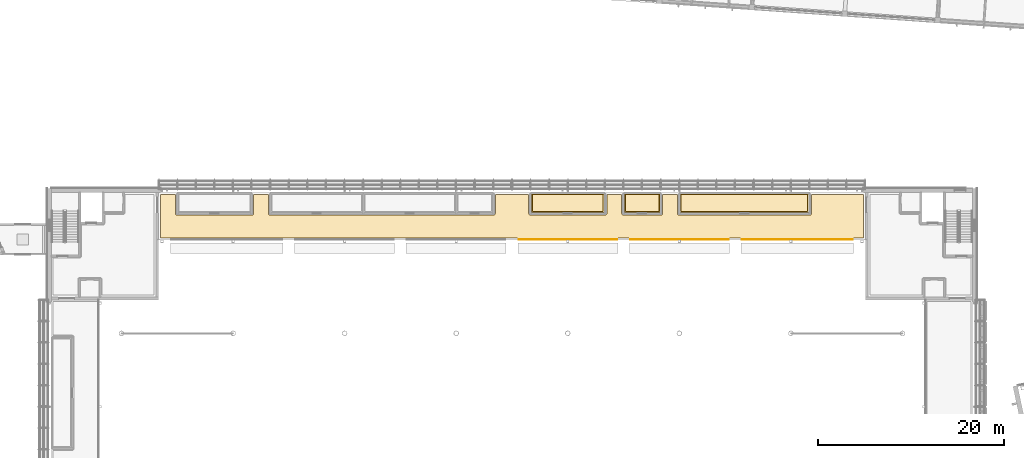
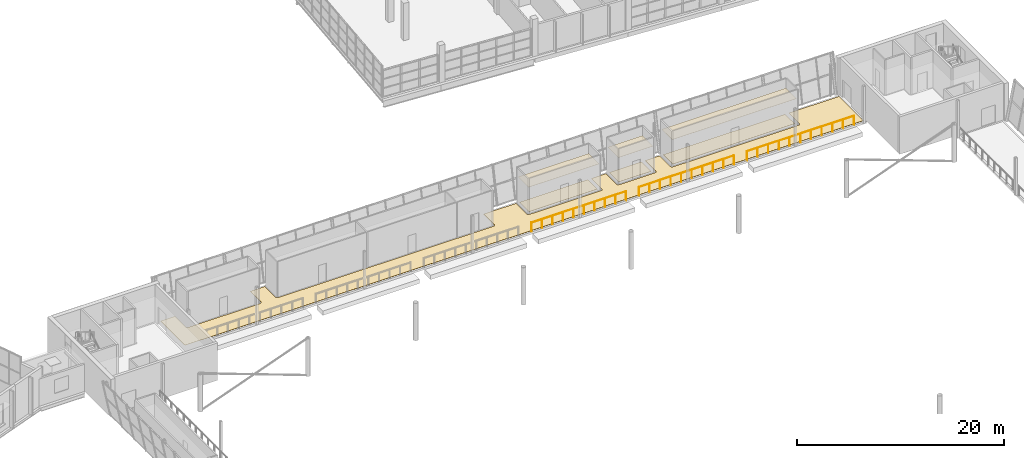
# One storey, part 105 of 115: 7 coverings, 3 railings.
"""IFC4 building model written with IfcOpenShell, lengths in metres."""

from ifc_helpers import new_model, si_unit, direction, frame, origin, origin_2d, place, context, subcontext, project, spatial, polyline, circle, outline, extrude, material, layer, layer_set, type_object, element, save


model = new_model("IFC4")

# Units and contexts
model_context = context("Model", 3, precision=1e-05, world=origin(), true_north=direction((0.0, 1.0)))
body_context = subcontext(model_context, "Body", "Model", "MODEL_VIEW")
ifc_project = project(units=[si_unit("LENGTHUNIT", "METRE"), si_unit("AREAUNIT", "SQUARE_METRE"), si_unit("VOLUMEUNIT", "CUBIC_METRE"), si_unit("PLANEANGLEUNIT", "RADIAN"), si_unit("MASSUNIT", "GRAM", prefix="KILO")], contexts=[model_context])

# Site, building, storey
site_placement = place(None, origin())
site = spatial("IfcSite", under=ifc_project, at=site_placement, CompositionType="ELEMENT")
building_placement = place(site_placement, origin())
building = spatial("IfcBuilding", under=site, at=building_placement, Name="Windward Yard Aquatics Centre", CompositionType="ELEMENT")
storey_placement = place(building_placement, frame((0.0, 0.0, 5.0)))
storey = spatial("IfcBuildingStorey", under=building, at=storey_placement, Name="L01", CompositionType="ELEMENT", Elevation=5.0)

# Coverings
ifc_material_1 = material(Name="Polished screed")
ifc_layer_1 = layer(ifc_material_1, 0.0400390625)
ifc_layer_set_1 = layer_set([ifc_layer_1], Name="H Floor Finish Screed 40")
covering_type_1 = type_object("IfcCoveringType", Name="H Floor Finish Screed 40", PredefinedType="FLOORING", material=ifc_layer_set_1)
covering_1_placement = place(storey_placement, origin())
element("IfcCovering", 1, at=covering_1_placement, inside=storey, type_object=covering_type_1, Name="Kiosk floor finish", PredefinedType="FLOORING", context=body_context, shape_type="SweptSolid", body=[
    extrude(outline(polyline([(104.199951171875, 93.5), (104.199951171875, 95.35009765625), (111.800048828125, 95.35009765625), (111.800048828125, 93.5), (104.199951171875, 93.5)])), origin(), (0.0, 0.0, 1.0), 0.02001953125),
])
covering_2_placement = place(storey_placement, origin())
element("IfcCovering", 2, at=covering_2_placement, inside=storey, type_object=covering_type_1, Name="Cleaner's Store floor finish", PredefinedType="FLOORING", context=body_context, shape_type="SweptSolid", body=[
    extrude(outline(polyline([(114.199951171875, 93.5), (114.199951171875, 95.35009765625), (117.800048828125, 95.35009765625), (117.800048828125, 93.5), (114.199951171875, 93.5)])), origin(), (0.0, 0.0, 1.0), 0.02001953125),
])
covering_3_placement = place(storey_placement, origin())
element("IfcCovering", 3, at=covering_3_placement, inside=storey, type_object=covering_type_1, Name="Cafe Counter floor finish", PredefinedType="FLOORING", context=body_context, shape_type="SweptSolid", body=[
    extrude(outline(polyline([(120.199951171875, 93.5), (120.199951171875, 95.35009765625), (133.800048828125, 95.35009765625), (133.800048828125, 93.5), (120.199951171875, 93.5)])), origin(), (0.0, 0.0, 1.0), 0.02001953125),
])
covering_4_placement = place(storey_placement, origin())
element("IfcCovering", 4, at=covering_4_placement, inside=storey, type_object=covering_type_1, Name="Concourse North floor finish", PredefinedType="FLOORING", context=body_context, shape_type="SweptSolid", body=[
    extrude(outline(polyline([(64.199951171875, 90.640380859375), (64.199951171875, 95.35009765625), (65.800048828125, 95.35009765625), (65.801025390625, 93.280517578125), (65.80859375, 93.241943359375), (65.815185546875, 93.223388671875), (65.833740234375, 93.18896484375), (65.858642578125, 93.15869140625), (65.888916015625, 93.1337890625), (65.923583984375, 93.115234375), (65.9609375, 93.103759765625), (66.0, 93.10009765625), (74.0, 93.10009765625), (74.0390625, 93.103759765625), (74.05810546875, 93.108642578125), (74.09423828125, 93.12353515625), (74.111083984375, 93.1337890625), (74.141357421875, 93.15869140625), (74.154541015625, 93.173095703125), (74.176513671875, 93.205810546875), (74.184814453125, 93.223388671875), (74.19140625, 93.241943359375), (74.198974609375, 93.280517578125), (74.199951171875, 95.35009765625), (75.800048828125, 95.35009765625), (75.801025390625, 93.280517578125), (75.80859375, 93.241943359375), (75.815185546875, 93.223388671875), (75.833740234375, 93.18896484375), (75.858642578125, 93.15869140625), (75.888916015625, 93.1337890625), (75.923583984375, 93.115234375), (75.9609375, 93.103759765625), (76.0, 93.10009765625), (100.01953125, 93.10107421875), (100.05810546875, 93.108642578125), (100.076416015625, 93.115234375), (100.111083984375, 93.1337890625), (100.141357421875, 93.15869140625), (100.166259765625, 93.18896484375), (100.184814453125, 93.223388671875), (100.19140625, 93.241943359375), (100.198974609375, 93.280517578125), (100.199951171875, 95.35009765625), (103.800048828125, 95.35009765625), (103.801025390625, 93.280517578125), (103.80859375, 93.241943359375), (103.815185546875, 93.223388671875), (103.833740234375, 93.18896484375), (103.858642578125, 93.15869140625), (103.888916015625, 93.1337890625), (103.923583984375, 93.115234375), (103.94189453125, 93.108642578125), (103.98046875, 93.10107421875), (112.0, 93.10009765625), (112.0390625, 93.103759765625), (112.05810546875, 93.108642578125), (112.09423828125, 93.12353515625), (112.111083984375, 93.1337890625), (112.141357421875, 93.15869140625), (112.154541015625, 93.173095703125), (112.176513671875, 93.205810546875), (112.184814453125, 93.223388671875), (112.19140625, 93.241943359375), (112.198974609375, 93.280517578125), (112.199951171875, 95.35009765625), (113.800048828125, 95.35009765625), (113.801025390625, 93.280517578125), (113.80859375, 93.241943359375), (113.815185546875, 93.223388671875), (113.823486328125, 93.205810546875), (113.845458984375, 93.173095703125), (113.858642578125, 93.15869140625), (113.888916015625, 93.1337890625), (113.923583984375, 93.115234375), (113.9609375, 93.103759765625), (114.0, 93.10009765625), (118.01953125, 93.10107421875), (118.05810546875, 93.108642578125), (118.076416015625, 93.115234375), (118.111083984375, 93.1337890625), (118.141357421875, 93.15869140625), (118.166259765625, 93.18896484375), (118.184814453125, 93.223388671875), (118.19140625, 93.241943359375), (118.198974609375, 93.280517578125), (118.199951171875, 95.35009765625), (119.800048828125, 95.35009765625), (119.801025390625, 93.280517578125), (119.80859375, 93.241943359375), (119.815185546875, 93.223388671875), (119.833740234375, 93.18896484375), (119.858642578125, 93.15869140625), (119.888916015625, 93.1337890625), (119.90576171875, 93.12353515625), (119.94189453125, 93.108642578125), (119.9609375, 93.103759765625), (120.0, 93.10009765625), (134.0, 93.10009765625), (134.0390625, 93.103759765625), (134.076416015625, 93.115234375), (134.111083984375, 93.1337890625), (134.141357421875, 93.15869140625), (134.166259765625, 93.18896484375), (134.184814453125, 93.223388671875), (134.19140625, 93.241943359375), (134.198974609375, 93.280517578125), (134.199951171875, 95.35009765625), (139.800048828125, 95.35009765625), (139.800048828125, 90.640380859375), (64.199951171875, 90.640380859375)])), origin(), (0.0, 0.0, 1.0), 0.02001953125),
])

# Railings
ifc_material_2 = material(Name="Stainless steel 1.4529", Category="steel")
railing_type = type_object("IfcRailingType", Name="H Guard Steel 1100", PredefinedType="GUARDRAIL", material=ifc_material_2)
for number, where, name in (
    (5, (102.72509765625, 90.490478515625, 0.0), "Concourse edge guard N5"),
    (6, (114.72509765625, 90.490478515625, 0.0), "Concourse edge guard N6"),
):
    element("IfcRailing", number, at=place(storey_placement, frame(where)), inside=storey, type_object=railing_type, Name=name, PredefinedType="GUARDRAIL", context=body_context, shape_type="SweptSolid", body=[
        extrude(circle(Radius=0.02392578125, at=origin_2d()), frame((0.0, 0.0, 1.076171875), z_axis=(1.0, 0.0, 0.0), x_axis=(0.0, 1.0, 0.0)), (0.0, 0.0, 1.0), 10.5498046875),
        extrude(circle(Radius=0.02099609375, at=origin_2d()), origin(), (0.0, 0.0, 1.0), 1.052001953125),
        extrude(circle(Radius=0.02099609375, at=origin_2d()), frame((1.172119140625, 0.0, 0.0)), (0.0, 0.0, 1.0), 1.052001953125),
        extrude(circle(Radius=0.02099609375, at=origin_2d()), frame((2.344482421875, 0.0, 0.0)), (0.0, 0.0, 1.0), 1.052001953125),
        extrude(circle(Radius=0.02099609375, at=origin_2d()), frame((3.5166015625, 0.0, 0.0)), (0.0, 0.0, 1.0), 1.052001953125),
        extrude(circle(Radius=0.02099609375, at=origin_2d()), frame((4.688720703125, 0.0, 0.0)), (0.0, 0.0, 1.0), 1.052001953125),
        extrude(circle(Radius=0.02099609375, at=origin_2d()), frame((5.861083984375, 0.0, 0.0)), (0.0, 0.0, 1.0), 1.052001953125),
        extrude(circle(Radius=0.02099609375, at=origin_2d()), frame((7.033203125, 0.0, 0.0)), (0.0, 0.0, 1.0), 1.052001953125),
        extrude(circle(Radius=0.02099609375, at=origin_2d()), frame((8.205322265625, 0.0, 0.0)), (0.0, 0.0, 1.0), 1.052001953125),
        extrude(circle(Radius=0.02099609375, at=origin_2d()), frame((9.377685546875, 0.0, 0.0)), (0.0, 0.0, 1.0), 1.052001953125),
        extrude(circle(Radius=0.02099609375, at=origin_2d()), frame((10.5498046875, 0.0, 0.0)), (0.0, 0.0, 1.0), 1.052001953125),
    ])
railing_placement = place(storey_placement, frame((126.72509765625, 90.490478515625, 0.0)))
element("IfcRailing", 7, at=railing_placement, inside=storey, type_object=railing_type, Name="Concourse edge guard N7", PredefinedType="GUARDRAIL", context=body_context, shape_type="SweptSolid", body=[
    extrude(circle(Radius=0.02392578125, at=origin_2d()), frame((0.0, 0.0, 1.076171875), z_axis=(1.0, 0.0, 0.0), x_axis=(0.0, 1.0, 0.0)), (0.0, 0.0, 1.0), 11.9248046875),
    extrude(circle(Radius=0.02099609375, at=origin_2d()), origin(), (0.0, 0.0, 1.0), 1.052001953125),
    extrude(circle(Radius=0.02099609375, at=origin_2d()), frame((1.1923828125, 0.0, 0.0)), (0.0, 0.0, 1.0), 1.052001953125),
    extrude(circle(Radius=0.02099609375, at=origin_2d()), frame((2.385009765625, 0.0, 0.0)), (0.0, 0.0, 1.0), 1.052001953125),
    extrude(circle(Radius=0.02099609375, at=origin_2d()), frame((3.577392578125, 0.0, 0.0)), (0.0, 0.0, 1.0), 1.052001953125),
    extrude(circle(Radius=0.02099609375, at=origin_2d()), frame((4.77001953125, 0.0, 0.0)), (0.0, 0.0, 1.0), 1.052001953125),
    extrude(circle(Radius=0.02099609375, at=origin_2d()), frame((5.96240234375, 0.0, 0.0)), (0.0, 0.0, 1.0), 1.052001953125),
    extrude(circle(Radius=0.02099609375, at=origin_2d()), frame((7.15478515625, 0.0, 0.0)), (0.0, 0.0, 1.0), 1.052001953125),
    extrude(circle(Radius=0.02099609375, at=origin_2d()), frame((8.347412109375, 0.0, 0.0)), (0.0, 0.0, 1.0), 1.052001953125),
    extrude(circle(Radius=0.02099609375, at=origin_2d()), frame((9.539794921875, 0.0, 0.0)), (0.0, 0.0, 1.0), 1.052001953125),
    extrude(circle(Radius=0.02099609375, at=origin_2d()), frame((10.732421875, 0.0, 0.0)), (0.0, 0.0, 1.0), 1.052001953125),
    extrude(circle(Radius=0.02099609375, at=origin_2d()), frame((11.9248046875, 0.0, 0.0)), (0.0, 0.0, 1.0), 1.052001953125),
])

# Coverings
ifc_material_3 = material(Name="Mineral fibre tile")
ifc_layer_2 = layer(ifc_material_3, 0.02001953125)
ifc_layer_set_2 = layer_set([ifc_layer_2], Name="H Suspended Ceiling 600 x 600")
covering_type_2 = type_object("IfcCoveringType", Name="H Suspended Ceiling 600 x 600", PredefinedType="CEILING", material=ifc_layer_set_2)
covering_5_placement = place(storey_placement, frame((0.0, 0.0, 3.0)))
element("IfcCovering", 8, at=covering_5_placement, inside=storey, type_object=covering_type_2, Name="Kiosk ceiling", PredefinedType="CEILING", context=body_context, shape_type="SweptSolid", body=[
    extrude(outline(polyline([(104.075439453125, 93.37548828125), (104.075439453125, 95.3994140625), (111.924560546875, 95.3994140625), (111.924560546875, 93.37548828125), (104.075439453125, 93.37548828125)])), origin(), (0.0, 0.0, 1.0), 0.02001953125),
])
covering_6_placement = place(storey_placement, frame((0.0, 0.0, 3.0)))
element("IfcCovering", 9, at=covering_6_placement, inside=storey, type_object=covering_type_2, Name="Cleaner's Store ceiling", PredefinedType="CEILING", context=body_context, shape_type="SweptSolid", body=[
    extrude(outline(polyline([(114.075439453125, 93.37548828125), (114.075439453125, 95.3994140625), (117.924560546875, 95.3994140625), (117.924560546875, 93.37548828125), (114.075439453125, 93.37548828125)])), origin(), (0.0, 0.0, 1.0), 0.02001953125),
])
covering_7_placement = place(storey_placement, frame((0.0, 0.0, 3.0)))
element("IfcCovering", 10, at=covering_7_placement, inside=storey, type_object=covering_type_2, Name="Cafe Counter ceiling", PredefinedType="CEILING", context=body_context, shape_type="SweptSolid", body=[
    extrude(outline(polyline([(120.075439453125, 93.37548828125), (120.075439453125, 95.3994140625), (133.924560546875, 95.3994140625), (133.924560546875, 93.37548828125), (120.075439453125, 93.37548828125)])), origin(), (0.0, 0.0, 1.0), 0.02001953125),
])

save(model, "model.ifc")
